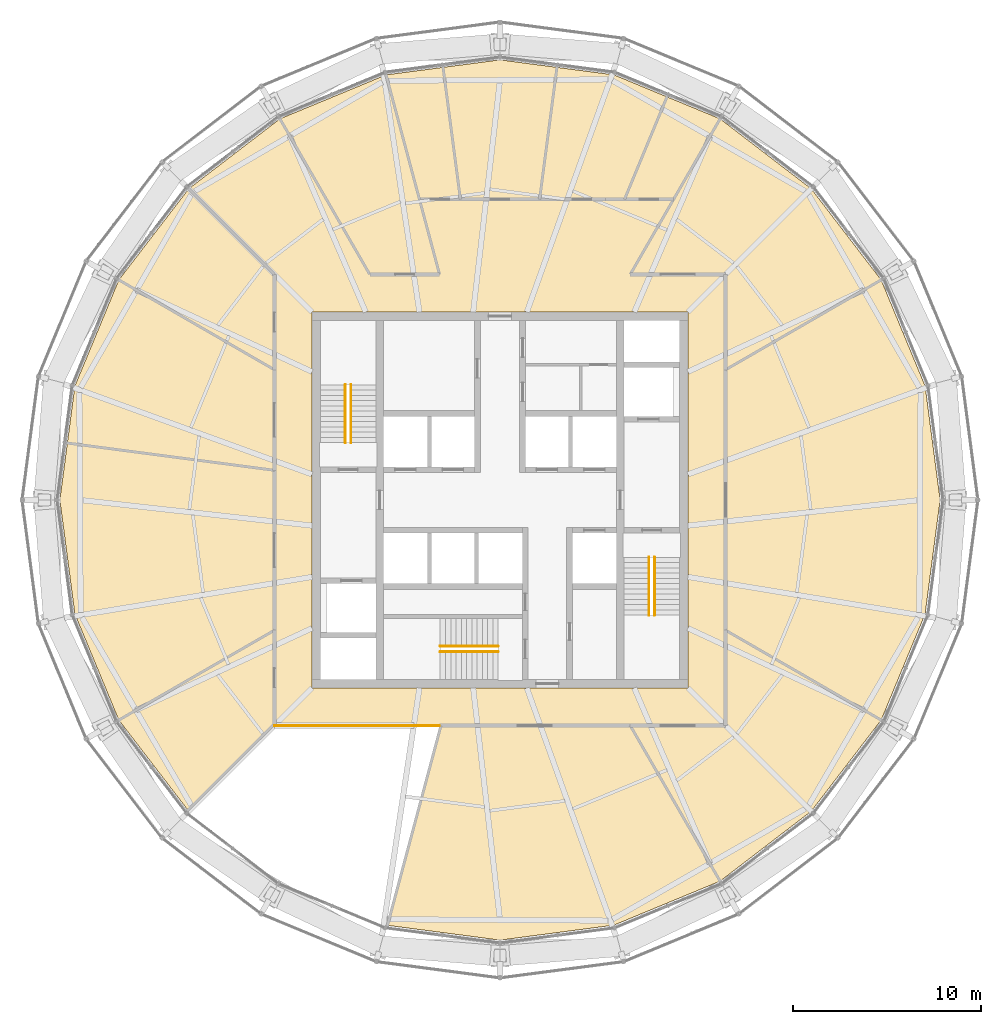
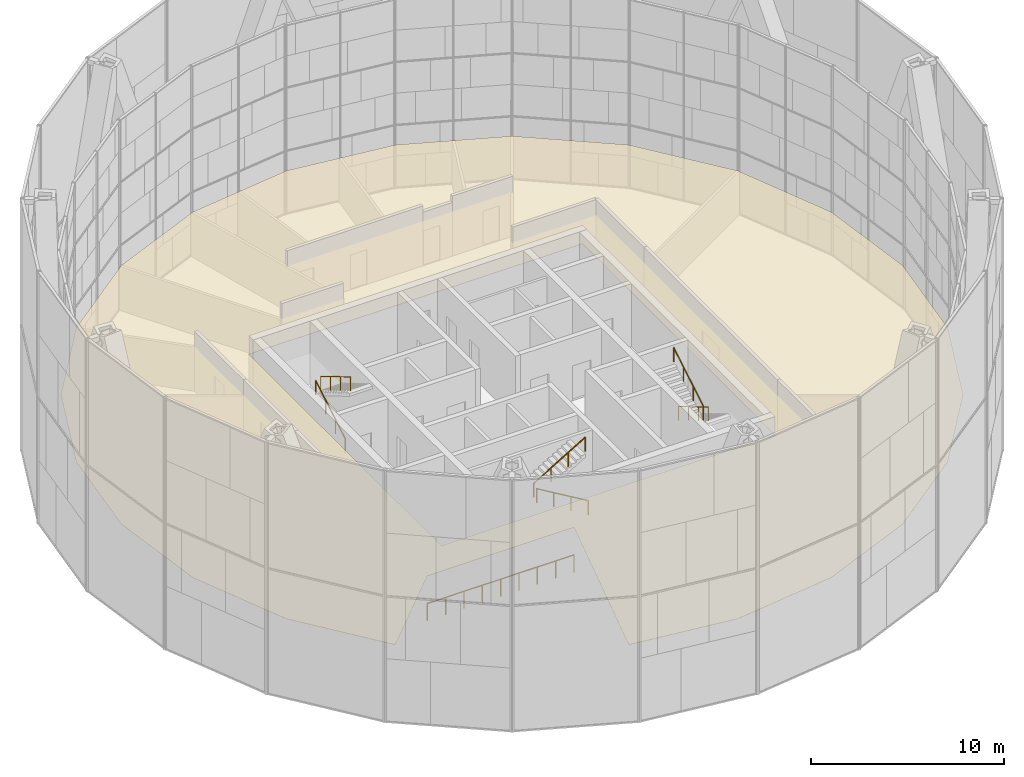
# One storey, part 26 of 26: 7 railings, 1 covering.
"""IFC4 building model written with IfcOpenShell, lengths in metres."""

from ifc_helpers import new_model, si_unit, direction, frame, origin, origin_2d, place, context, subcontext, project, spatial, polyline, circle, outline, extrude, material, layer, layer_set, type_object, element, save


model = new_model("IFC4")

# Units and contexts
model_context = context("Model", 3, precision=1e-05, world=origin(), true_north=direction((0.0, 1.0)))
body_context = subcontext(model_context, "Body", "Model", "MODEL_VIEW")
ifc_project = project(units=[si_unit("LENGTHUNIT", "METRE"), si_unit("AREAUNIT", "SQUARE_METRE"), si_unit("VOLUMEUNIT", "CUBIC_METRE"), si_unit("PLANEANGLEUNIT", "RADIAN"), si_unit("MASSUNIT", "GRAM", prefix="KILO")], contexts=[model_context])

# Site, building, storey
site_placement = place(None, origin())
site = spatial("IfcSite", under=ifc_project, at=site_placement, CompositionType="ELEMENT")
building_placement = place(site_placement, origin())
building = spatial("IfcBuilding", under=site, at=building_placement, Name="Golbaran Civic Tower", CompositionType="ELEMENT")
storey_placement = place(building_placement, frame((0.0, 0.0, 199.0)))
storey = spatial("IfcBuildingStorey", under=building, at=storey_placement, Name="L48", CompositionType="ELEMENT", Elevation=199.0)

# Railings
ifc_material_1 = material(Name="Laminated glass, steel shoe", Category="steel")
railing_type_1 = type_object("IfcRailingType", Name="GLASS BALUSTRADE 1100", PredefinedType="GUARDRAIL", material=ifc_material_1)
railing_1_placement = place(storey_placement, frame((-12.0, -12.0, 0.0)))
element("IfcRailing", 1, at=railing_1_placement, inside=storey, type_object=railing_type_1, Name="Sky garden void guard L48", PredefinedType="GUARDRAIL", context=body_context, shape_type="SweptSolid", body=[
    extrude(circle(Radius=0.02392578125, at=origin_2d()), frame((0.0, 0.0, 1.076171875), z_axis=(1.0, 0.0, 0.0), x_axis=(0.0, 1.0, 0.0)), (0.0, 0.0, 1.0), 8.78466796875),
    extrude(circle(Radius=0.02099609375, at=origin_2d()), origin(), (0.0, 0.0, 1.0), 1.052001953125),
    extrude(circle(Radius=0.02099609375, at=origin_2d()), frame((1.09814453125, 0.0, 0.0)), (0.0, 0.0, 1.0), 1.052001953125),
    extrude(circle(Radius=0.02099609375, at=origin_2d()), frame((2.1962890625, 0.0, 0.0)), (0.0, 0.0, 1.0), 1.052001953125),
    extrude(circle(Radius=0.02099609375, at=origin_2d()), frame((3.294189453125, 0.0, 0.0)), (0.0, 0.0, 1.0), 1.052001953125),
    extrude(circle(Radius=0.02099609375, at=origin_2d()), frame((4.392333984375, 0.0, 0.0)), (0.0, 0.0, 1.0), 1.052001953125),
    extrude(circle(Radius=0.02099609375, at=origin_2d()), frame((5.490478515625, 0.0, 0.0)), (0.0, 0.0, 1.0), 1.052001953125),
    extrude(circle(Radius=0.02099609375, at=origin_2d()), frame((6.58837890625, 0.0, 0.0)), (0.0, 0.0, 1.0), 1.052001953125),
    extrude(circle(Radius=0.02099609375, at=origin_2d()), frame((7.6865234375, 0.0, 0.0)), (0.0, 0.0, 1.0), 1.052001953125),
    extrude(circle(Radius=0.02099609375, at=origin_2d()), frame((8.78466796875, 0.0, 0.0)), (0.0, 0.0, 1.0), 1.052001953125),
])
ifc_material_2 = material(Name="Stainless steel", Category="steel")
railing_type_2 = type_object("IfcRailingType", Name="STAIR HANDRAIL 900", PredefinedType="HANDRAIL", material=ifc_material_2)
railing_2_placement = place(storey_placement, frame((-8.22509765625, 3.050048828125, 0.166748046875)))
element("IfcRailing", 2, at=railing_2_placement, inside=storey, type_object=railing_type_2, Name="Stair S1 handrail flight 1 L48", PredefinedType="HANDRAIL", context=body_context, shape_type="SweptSolid", body=[
    extrude(circle(Radius=0.02392578125, at=origin_2d()), frame((0.0, 0.0, 0.8759765625), z_axis=(0.0, 0.859290745958, 0.51148745235), x_axis=(-1.0, 0.0, 0.0)), (0.0, 0.0, 1.0), 3.584228515625),
    extrude(circle(Radius=0.02099609375, at=origin_2d()), origin(), (0.0, 0.0, 1.0), 0.851806640625),
    extrude(circle(Radius=0.02099609375, at=origin_2d()), frame((0.0, 1.026611328125, 0.611083984375)), (0.0, 0.0, 1.0), 0.851806640625),
    extrude(circle(Radius=0.02099609375, at=origin_2d()), frame((0.0, 2.05322265625, 1.22216796875)), (0.0, 0.0, 1.0), 0.851806640625),
    extrude(circle(Radius=0.02099609375, at=origin_2d()), frame((0.0, 3.079833984375, 1.833251953125)), (0.0, 0.0, 1.0), 0.851806640625),
])
for number, where, name in (
    (3, (-7.925048828125, 6.1298828125, 2.166748046875), "Stair S1 handrail flight 2 L48"),
    (4, (8.22509765625, -3.050048828125, 0.166748046875), "Stair S2 handrail flight 1 L48"),
):
    element("IfcRailing", number, at=place(storey_placement, frame(where)), inside=storey, type_object=railing_type_2, Name=name, PredefinedType="HANDRAIL", context=body_context, shape_type="SweptSolid", body=[
        extrude(circle(Radius=0.02392578125, at=origin_2d()), frame((0.0, 0.0, 0.8759765625), z_axis=(0.0, -0.859290745958, 0.51148745235), x_axis=(1.0, 0.0, 0.0)), (0.0, 0.0, 1.0), 3.584228515625),
        extrude(circle(Radius=0.02099609375, at=origin_2d()), origin(), (0.0, 0.0, 1.0), 0.851806640625),
        extrude(circle(Radius=0.02099609375, at=origin_2d()), frame((0.0, -1.026611328125, 0.611083984375)), (0.0, 0.0, 1.0), 0.851806640625),
        extrude(circle(Radius=0.02099609375, at=origin_2d()), frame((0.0, -2.05322265625, 1.22216796875)), (0.0, 0.0, 1.0), 0.851806640625),
        extrude(circle(Radius=0.02099609375, at=origin_2d()), frame((0.0, -3.079833984375, 1.833251953125)), (0.0, 0.0, 1.0), 0.851806640625),
    ])
railing_3_placement = place(storey_placement, frame((7.925048828125, -6.1298828125, 2.166748046875)))
element("IfcRailing", 5, at=railing_3_placement, inside=storey, type_object=railing_type_2, Name="Stair S2 handrail flight 2 L48", PredefinedType="HANDRAIL", context=body_context, shape_type="SweptSolid", body=[
    extrude(circle(Radius=0.02392578125, at=origin_2d()), frame((0.0, 0.0, 0.8759765625), z_axis=(0.0, 0.859290745958, 0.51148745235), x_axis=(-1.0, 0.0, 0.0)), (0.0, 0.0, 1.0), 3.584228515625),
    extrude(circle(Radius=0.02099609375, at=origin_2d()), origin(), (0.0, 0.0, 1.0), 0.851806640625),
    extrude(circle(Radius=0.02099609375, at=origin_2d()), frame((0.0, 1.026611328125, 0.611083984375)), (0.0, 0.0, 1.0), 0.851806640625),
    extrude(circle(Radius=0.02099609375, at=origin_2d()), frame((0.0, 2.05322265625, 1.22216796875)), (0.0, 0.0, 1.0), 0.851806640625),
    extrude(circle(Radius=0.02099609375, at=origin_2d()), frame((0.0, 3.079833984375, 1.833251953125)), (0.0, 0.0, 1.0), 0.851806640625),
])
railing_4_placement = place(storey_placement, frame((-0.10009765625, -8.074951171875, 0.166748046875)))
element("IfcRailing", 6, at=railing_4_placement, inside=storey, type_object=railing_type_2, Name="Stair S3 handrail flight 1 L48", PredefinedType="HANDRAIL", context=body_context, shape_type="SweptSolid", body=[
    extrude(circle(Radius=0.02392578125, at=origin_2d()), frame((0.0, 0.0, 0.8759765625), z_axis=(-0.859290745958, 0.0, 0.51148745235), x_axis=(0.0, -1.0, 0.0)), (0.0, 0.0, 1.0), 3.584228515625),
    extrude(circle(Radius=0.02099609375, at=origin_2d()), origin(), (0.0, 0.0, 1.0), 0.851806640625),
    extrude(circle(Radius=0.02099609375, at=origin_2d()), frame((-1.026611328125, 0.0, 0.611083984375)), (0.0, 0.0, 1.0), 0.851806640625),
    extrude(circle(Radius=0.02099609375, at=origin_2d()), frame((-2.05322265625, 0.0, 1.22216796875)), (0.0, 0.0, 1.0), 0.851806640625),
    extrude(circle(Radius=0.02099609375, at=origin_2d()), frame((-3.079833984375, 0.0, 1.833251953125)), (0.0, 0.0, 1.0), 0.851806640625),
])
railing_5_placement = place(storey_placement, frame((-3.179931640625, -7.77490234375, 2.166748046875)))
element("IfcRailing", 7, at=railing_5_placement, inside=storey, type_object=railing_type_2, Name="Stair S3 handrail flight 2 L48", PredefinedType="HANDRAIL", context=body_context, shape_type="SweptSolid", body=[
    extrude(circle(Radius=0.02392578125, at=origin_2d()), frame((0.0, 0.0, 0.8759765625), z_axis=(0.859290745958, 0.0, 0.51148745235), x_axis=(0.0, 1.0, 0.0)), (0.0, 0.0, 1.0), 3.584228515625),
    extrude(circle(Radius=0.02099609375, at=origin_2d()), origin(), (0.0, 0.0, 1.0), 0.851806640625),
    extrude(circle(Radius=0.02099609375, at=origin_2d()), frame((1.026611328125, 0.0, 0.611083984375)), (0.0, 0.0, 1.0), 0.851806640625),
    extrude(circle(Radius=0.02099609375, at=origin_2d()), frame((2.05322265625, 0.0, 1.22216796875)), (0.0, 0.0, 1.0), 0.851806640625),
    extrude(circle(Radius=0.02099609375, at=origin_2d()), frame((3.079833984375, 0.0, 1.833251953125)), (0.0, 0.0, 1.0), 0.851806640625),
])

# Covering
ifc_material_3 = material(Name="Mineral fibre tile on steel grid", Category="steel")
ifc_layer = layer(ifc_material_3, 0.02001953125, Name="Mineral fibre tile on steel grid")
ifc_layer_set = layer_set([ifc_layer], Name="Mineral fibre tile on steel grid")
covering_type = type_object("IfcCoveringType", Name="SUSPENDED CEILING 600 TILE 20", PredefinedType="CEILING", material=ifc_layer_set)
covering_placement = place(storey_placement, frame((0.0, 0.0, 2.800048828125)))
element("IfcCovering", 8, at=covering_placement, inside=storey, type_object=covering_type, Name="Suspended ceiling L48", PredefinedType="CEILING", context=body_context, shape_type="SweptSolid", body=[
    extrude(outline(polyline([(-20.27978515625, 11.70849609375), (-16.558349609375, 16.558349609375), (-11.70849609375, 20.27978515625), (-6.060791015625, 22.619140625), (-3.17919921875, 22.99853515625), (0.0, 23.4169921875), (6.060791015625, 22.619140625), (11.70849609375, 20.27978515625), (16.558349609375, 16.558349609375), (20.27978515625, 11.70849609375), (22.619140625, 6.060791015625), (23.4169921875, 0.0), (22.619140625, -6.060791015625), (20.27978515625, -11.70849609375), (16.558349609375, -16.558349609375), (11.70849609375, -20.27978515625), (6.060791015625, -22.619140625), (0.0, -23.4169921875), (-6.060791015625, -22.619140625), (-3.21533203125, -12.0), (-12.0, -12.0), (-16.558349609375, -16.558349609375), (-20.27978515625, -11.70849609375), (-22.619140625, -6.060791015625), (-23.4169921875, 0.0), (-22.619140625, 6.060791015625), (-20.27978515625, 11.70849609375)]), holes=[polyline([(-10.0, 10.0), (-10.0, -10.0), (10.0, -10.0), (10.0, 10.0), (-10.0, 10.0)])]), origin(), (0.0, 0.0, 1.0), 0.02001953125),
])

save(model, "model.ifc")
